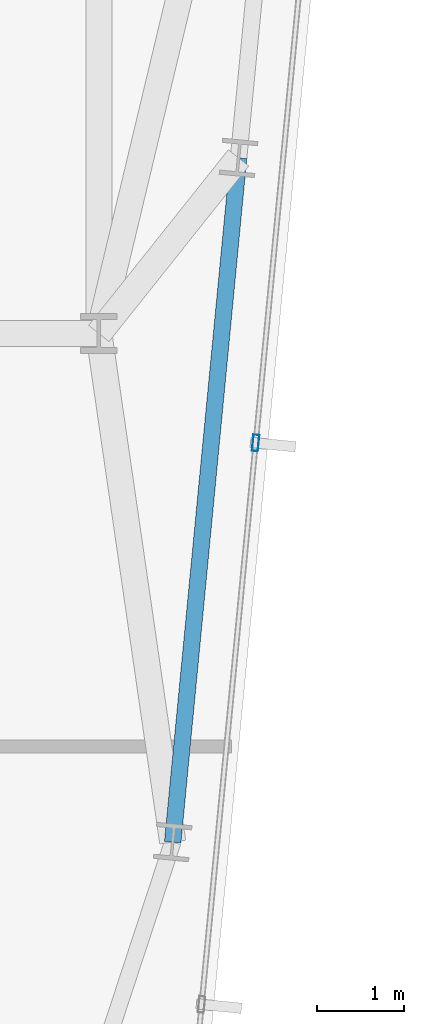
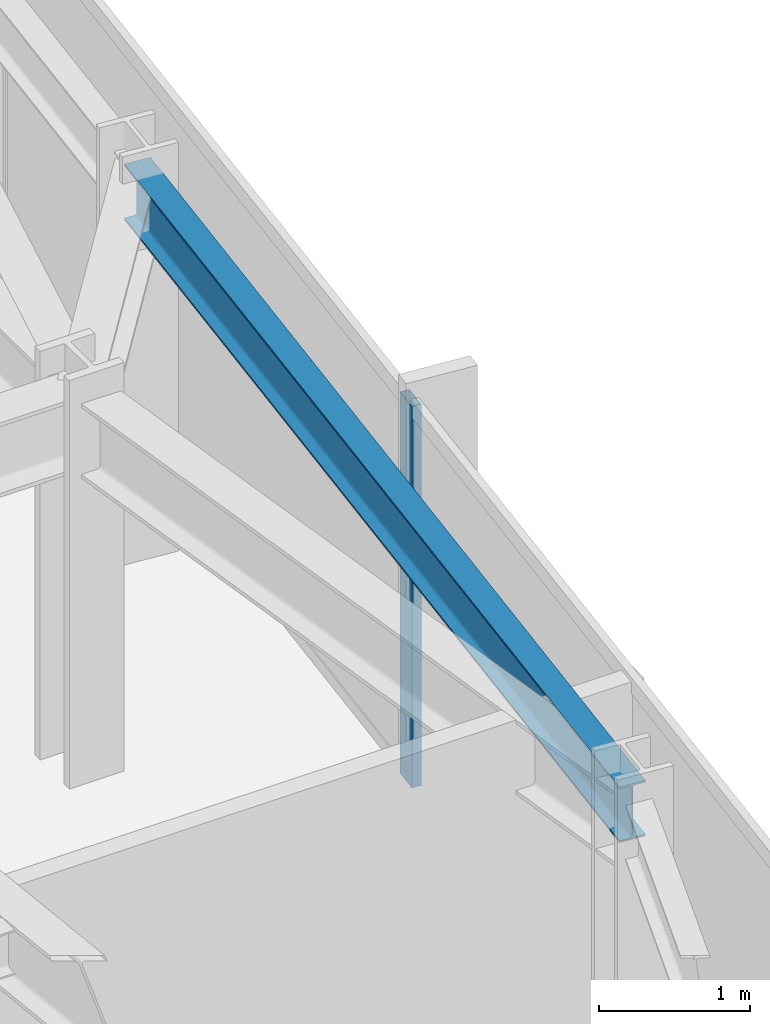
# One storey, part 16 of 38: 1 beam, 1 member, 1 element without a shape of its own.
"""IFC4 building model written with IfcOpenShell, lengths in metres."""

from ifc_helpers import new_model, si_unit, direction, frame, origin, origin_2d, place, context, subcontext, project, spatial, hollow_rectangle, i_section, extrude, material, material_profile, profile_set, type_object, element, aggregate, save


model = new_model("IFC4")

# Units and contexts
model_context = context("Model", 3, precision=1e-05, world=origin(), true_north=direction((0.0, 1.0)))
body_context = subcontext(model_context, "Body", "Model", "MODEL_VIEW")
ifc_project = project(units=[si_unit("LENGTHUNIT", "METRE"), si_unit("AREAUNIT", "SQUARE_METRE"), si_unit("VOLUMEUNIT", "CUBIC_METRE"), si_unit("PLANEANGLEUNIT", "RADIAN"), si_unit("MASSUNIT", "GRAM", prefix="KILO")], contexts=[model_context])

# Site, building, storey
site_placement = place(None, origin())
site = spatial("IfcSite", under=ifc_project, at=site_placement, CompositionType="ELEMENT")
building_placement = place(site_placement, origin())
building = spatial("IfcBuilding", under=site, at=building_placement, Name="Yelkora Congress Tower", CompositionType="ELEMENT")
storey_placement = place(building_placement, frame((0.0, 0.0, 185.300048828125)))
storey = spatial("IfcBuildingStorey", under=building, at=storey_placement, Name="L51", CompositionType="ELEMENT", Elevation=185.300048828125)

# Beam
ifc_material_1 = material(Name="Steel S355J2", Category="steel")
ifc_material_profile_1 = material_profile(ifc_material_1, i_section(OverallWidth=0.18994140625, OverallDepth=0.449951171875, WebThickness=0.009521484375, FlangeThickness=0.0146484375, FilletRadius=0.02099609375, at=origin_2d()), Name="IPE 450")
ifc_profile_set_1 = profile_set([ifc_material_profile_1], Name="Steel S355J2")
beam_type = type_object("IfcBeamType", Name="BM-SPAN-IPE450", PredefinedType="SPANDREL", material=ifc_profile_set_1)
beam_placement = place(storey_placement, frame((58.44921875, 19.353759765625, 2.85498046875), z_axis=(0.095831353931, 0.995397584689, 0.0), x_axis=(-0.995397584689, 0.095831353931, 0.0)))
element("IfcBeam", 1, at=beam_placement, inside=storey, type_object=beam_type, Name="L51 Perimeter Beam 10", PredefinedType="SPANDREL", context=body_context, shape_type="SweptSolid", body=[
    extrude(i_section(OverallWidth=0.18994140625, OverallDepth=0.449951171875, WebThickness=0.009521484375, FlangeThickness=0.0146484375, FilletRadius=0.02099609375, at=origin_2d()), origin(), (0.0, 0.0, 1.0), 7.900146484375),
])

# Curtain wall, member
ifc_material_2 = material(Name="Anodised aluminium and insulated glass", Category="aluminium")
curtain_wall_type = type_object("IfcCurtainWallType", Name="CW-SYS-B3", PredefinedType="NOTDEFINED", material=ifc_material_2)
curtain_wall_placement = place(storey_placement, origin())
curtain_wall = element("IfcCurtainWall", 2, at=curtain_wall_placement, inside=storey, type_object=curtain_wall_type, Name="L51 Unitised Curtain Wall 15", PredefinedType="NOTDEFINED")
ifc_material_3 = material(Name="Anodised aluminium 6063-T6", Category="aluminium")
ifc_material_profile_2 = material_profile(ifc_material_3, hollow_rectangle(XDim=0.070068359375, YDim=0.18994140625, WallThickness=0.00390625, at=origin_2d()), Name="ALU 70x190x4")
ifc_profile_set_2 = profile_set([ifc_material_profile_2], Name="Anodised aluminium 6063-T6")
member_type = type_object("IfcMemberType", Name="MEM-ML-B3", PredefinedType="MULLION", material=ifc_profile_set_2)
member_placement = place(storey_placement, frame((59.4033203125, 23.94140625, 0.0), z_axis=(0.0, 0.0, 1.0), x_axis=(0.995396565076, -0.095841944023, 0.0)))
member = element("IfcMember", 3, at=member_placement, type_object=member_type, Name="CW-B3 mullion 4", PredefinedType="MULLION", context=body_context, shape_type="SweptSolid", body=[
    extrude(hollow_rectangle(XDim=0.070068359375, YDim=0.18994140625, WallThickness=0.00390625, at=origin_2d()), origin(), (0.0, 0.0, 1.0), 3.079833984375),
])
aggregate(curtain_wall, [member])

save(model, "model.ifc")
